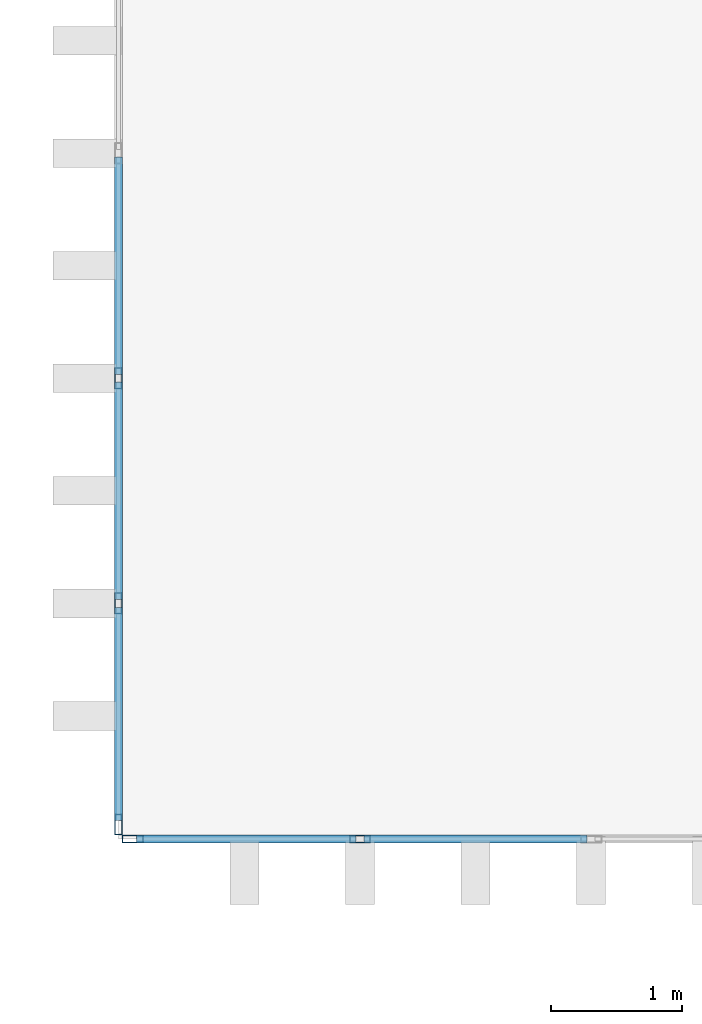
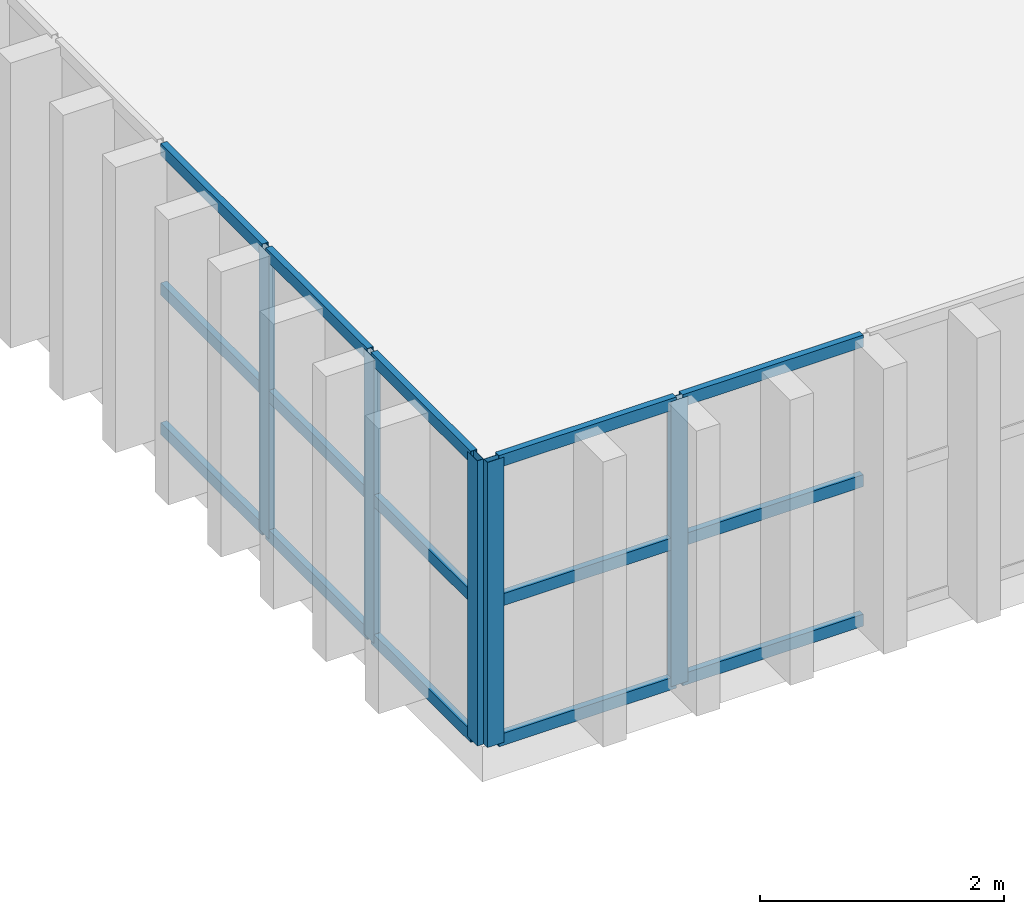
# One storey, part 24 of 102: 20 members, 2 elements without a shape of their own.
"""IFC4 building model written with IfcOpenShell, lengths in metres."""

from ifc_helpers import new_model, si_unit, direction, frame, origin, origin_2d, place, context, subcontext, project, spatial, hollow_rectangle, extrude, material, layer, layer_set, material_profile, profile_set, type_object, element, aggregate, save


model = new_model("IFC4")

# Units and contexts
model_context = context("Model", 3, precision=1e-05, world=origin(), true_north=direction((0.0, 1.0)))
body_context = subcontext(model_context, "Body", "Model", "MODEL_VIEW")
ifc_project = project(units=[si_unit("LENGTHUNIT", "METRE"), si_unit("AREAUNIT", "SQUARE_METRE"), si_unit("VOLUMEUNIT", "CUBIC_METRE"), si_unit("PLANEANGLEUNIT", "RADIAN"), si_unit("MASSUNIT", "GRAM", prefix="KILO")], contexts=[model_context])

# Site, building, storey
site_placement = place(None, origin())
site = spatial("IfcSite", under=ifc_project, at=site_placement, CompositionType="ELEMENT")
building_placement = place(site_placement, origin())
building = spatial("IfcBuilding", under=site, at=building_placement, Name="Barlavento Convention Centre", CompositionType="ELEMENT")
storey_placement = place(building_placement, frame((0.0, 0.0, 22.800048828125)))
storey = spatial("IfcBuildingStorey", under=building, at=storey_placement, Name="L04", CompositionType="ELEMENT", Elevation=22.800048828125)

# Curtain wall, members
ifc_material_1 = material(Name="Powder-coated aluminium and Low-E glass", Category="aluminium")
ifc_layer = layer(ifc_material_1, 0.18505859375)
ifc_layer_set = layer_set([ifc_layer], Name="ARC-CW-CONF-L04")
curtain_wall_type = type_object("IfcCurtainWallType", Name="ARC-CW-CONF-L04", PredefinedType="NOTDEFINED", material=ifc_layer_set)
curtain_wall_1_placement = place(storey_placement, origin())
curtain_wall_1 = element("IfcCurtainWall", 1, at=curtain_wall_1_placement, inside=storey, type_object=curtain_wall_type, Name="L04 unitised curtain wall CW09", PredefinedType="NOTDEFINED")
ifc_material_2 = material(Name="Powder-coated aluminium", Category="aluminium")
ifc_material_profile_1 = material_profile(ifc_material_2, hollow_rectangle(XDim=0.06005859375, YDim=0.159912109375, WallThickness=0.00390625, at=origin_2d()), Name="AL-MULL 60x160x4")
ifc_profile_set_1 = profile_set([ifc_material_profile_1], Name="Powder-coated aluminium")
member_type_1 = type_object("IfcMemberType", Name="ARC-CWM-60X160", PredefinedType="MULLION", material=ifc_profile_set_1)
member_1_placement = place(storey_placement, frame((153.110107421875, 27.0, 0.0), z_axis=(0.0, 0.0, 1.0), x_axis=(0.0, 1.0, 0.0)))
member_1 = element("IfcMember", 2, at=member_1_placement, type_object=member_type_1, Name="CW09 mullion 1", PredefinedType="MULLION", context=body_context, shape_type="SweptSolid", body=[
    extrude(hollow_rectangle(XDim=0.06005859375, YDim=0.159912109375, WallThickness=0.00390625, at=origin_2d()), origin(), (0.0, 0.0, 1.0), 2.849853515625),
])
member_2_placement = place(storey_placement, frame((154.847900390625, 27.0, 0.0), z_axis=(0.0, 0.0, 1.0), x_axis=(0.0, 1.0, 0.0)))
member_2 = element("IfcMember", 3, at=member_2_placement, type_object=member_type_1, Name="CW09 mullion 2", PredefinedType="MULLION", context=body_context, shape_type="SweptSolid", body=[
    extrude(hollow_rectangle(XDim=0.06005859375, YDim=0.159912109375, WallThickness=0.00390625, at=origin_2d()), origin(), (0.0, 0.0, 1.0), 2.849853515625),
])

curtain_wall_2_placement = place(storey_placement, origin())
curtain_wall_2 = element("IfcCurtainWall", 4, at=curtain_wall_2_placement, inside=storey, type_object=curtain_wall_type, Name="L04 unitised curtain wall CW09", PredefinedType="NOTDEFINED")
member_3_placement = place(storey_placement, frame((153.0, 27.110107421875, 0.0), z_axis=(0.0, 0.0, 1.0), x_axis=(-1.0, 0.0, 0.0)))
member_3 = element("IfcMember", 5, at=member_3_placement, type_object=member_type_1, Name="CW09 mullion 1", PredefinedType="MULLION", context=body_context, shape_type="SweptSolid", body=[
    extrude(hollow_rectangle(XDim=0.06005859375, YDim=0.159912109375, WallThickness=0.00390625, at=origin_2d()), origin(), (0.0, 0.0, 1.0), 2.849853515625),
])
member_4_placement = place(storey_placement, frame((153.0, 28.802001953125, 0.0), z_axis=(0.0, 0.0, 1.0), x_axis=(-1.0, 0.0, 0.0)))
member_4 = element("IfcMember", 6, at=member_4_placement, type_object=member_type_1, Name="CW09 mullion 2", PredefinedType="MULLION", context=body_context, shape_type="SweptSolid", body=[
    extrude(hollow_rectangle(XDim=0.06005859375, YDim=0.159912109375, WallThickness=0.00390625, at=origin_2d()), origin(), (0.0, 0.0, 1.0), 2.849853515625),
])
member_5_placement = place(storey_placement, frame((153.0, 30.52392578125, 0.0), z_axis=(0.0, 0.0, 1.0), x_axis=(-1.0, 0.0, 0.0)))
member_5 = element("IfcMember", 7, at=member_5_placement, type_object=member_type_1, Name="CW09 mullion 3", PredefinedType="MULLION", context=body_context, shape_type="SweptSolid", body=[
    extrude(hollow_rectangle(XDim=0.06005859375, YDim=0.159912109375, WallThickness=0.00390625, at=origin_2d()), origin(), (0.0, 0.0, 1.0), 2.849853515625),
])

# Member
ifc_material_profile_2 = material_profile(ifc_material_2, hollow_rectangle(XDim=0.06005859375, YDim=0.1201171875, WallThickness=0.00390625, at=origin_2d()), Name="AL-TRAN 60x120x4")
ifc_profile_set_2 = profile_set([ifc_material_profile_2], Name="Powder-coated aluminium")
member_type_2 = type_object("IfcMemberType", Name="ARC-CWT-60X120", PredefinedType="USERDEFINED", material=ifc_profile_set_2)
member_6_placement = place(storey_placement, frame((153.139892578125, 27.0, 0.030029296875), z_axis=(1.0, 0.0, 0.0), x_axis=(0.0, 1.0, 0.0)))
member_6 = element("IfcMember", 8, at=member_6_placement, type_object=member_type_2, Name="CW09 transom 1.1", ObjectType="TRANSOM", PredefinedType="USERDEFINED", context=body_context, shape_type="SweptSolid", body=[
    extrude(hollow_rectangle(XDim=0.06005859375, YDim=0.1201171875, WallThickness=0.00390625, at=origin_2d()), origin(), (0.0, 0.0, 1.0), 1.67822265625),
])

member_7_placement = place(storey_placement, frame((153.139892578125, 27.0, 1.425048828125), z_axis=(1.0, 0.0, 0.0), x_axis=(0.0, 1.0, 0.0)))
member_7 = element("IfcMember", 9, at=member_7_placement, type_object=member_type_2, Name="CW09 transom 1.2", ObjectType="TRANSOM", PredefinedType="USERDEFINED", context=body_context, shape_type="SweptSolid", body=[
    extrude(hollow_rectangle(XDim=0.06005859375, YDim=0.1201171875, WallThickness=0.00390625, at=origin_2d()), origin(), (0.0, 0.0, 1.0), 1.67822265625),
])

member_8_placement = place(storey_placement, frame((153.139892578125, 27.0, 2.820068359375), z_axis=(1.0, 0.0, 0.0), x_axis=(0.0, 1.0, 0.0)))
member_8 = element("IfcMember", 10, at=member_8_placement, type_object=member_type_2, Name="CW09 transom 1.3", ObjectType="TRANSOM", PredefinedType="USERDEFINED", context=body_context, shape_type="SweptSolid", body=[
    extrude(hollow_rectangle(XDim=0.06005859375, YDim=0.1201171875, WallThickness=0.00390625, at=origin_2d()), origin(), (0.0, 0.0, 1.0), 1.67822265625),
])

member_9_placement = place(storey_placement, frame((154.8779296875, 27.0, 0.030029296875), z_axis=(1.0, 0.0, 0.0), x_axis=(0.0, 1.0, 0.0)))
member_9 = element("IfcMember", 11, at=member_9_placement, type_object=member_type_2, Name="CW09 transom 2.1", ObjectType="TRANSOM", PredefinedType="USERDEFINED", context=body_context, shape_type="SweptSolid", body=[
    extrude(hollow_rectangle(XDim=0.06005859375, YDim=0.1201171875, WallThickness=0.00390625, at=origin_2d()), origin(), (0.0, 0.0, 1.0), 1.7080078125),
])

member_10_placement = place(storey_placement, frame((154.8779296875, 27.0, 1.425048828125), z_axis=(1.0, 0.0, 0.0), x_axis=(0.0, 1.0, 0.0)))
member_10 = element("IfcMember", 12, at=member_10_placement, type_object=member_type_2, Name="CW09 transom 2.2", ObjectType="TRANSOM", PredefinedType="USERDEFINED", context=body_context, shape_type="SweptSolid", body=[
    extrude(hollow_rectangle(XDim=0.06005859375, YDim=0.1201171875, WallThickness=0.00390625, at=origin_2d()), origin(), (0.0, 0.0, 1.0), 1.7080078125),
])

member_11_placement = place(storey_placement, frame((154.8779296875, 27.0, 2.820068359375), z_axis=(1.0, 0.0, 0.0), x_axis=(0.0, 1.0, 0.0)))
member_11 = element("IfcMember", 13, at=member_11_placement, type_object=member_type_2, Name="CW09 transom 2.3", ObjectType="TRANSOM", PredefinedType="USERDEFINED", context=body_context, shape_type="SweptSolid", body=[
    extrude(hollow_rectangle(XDim=0.06005859375, YDim=0.1201171875, WallThickness=0.00390625, at=origin_2d()), origin(), (0.0, 0.0, 1.0), 1.7080078125),
])

aggregate(curtain_wall_1, [member_1, member_2, member_6, member_7, member_8, member_9, member_10, member_11])

member_12_placement = place(storey_placement, frame((153.0, 27.139892578125, 0.030029296875), z_axis=(0.0, 1.0, 0.0), x_axis=(-1.0, 0.0, 0.0)))
member_12 = element("IfcMember", 14, at=member_12_placement, type_object=member_type_2, Name="CW09 transom 1.1", ObjectType="TRANSOM", PredefinedType="USERDEFINED", context=body_context, shape_type="SweptSolid", body=[
    extrude(hollow_rectangle(XDim=0.06005859375, YDim=0.1201171875, WallThickness=0.00390625, at=origin_2d()), origin(), (0.0, 0.0, 1.0), 1.632080078125),
])

member_13_placement = place(storey_placement, frame((153.0, 27.139892578125, 1.425048828125), z_axis=(0.0, 1.0, 0.0), x_axis=(-1.0, 0.0, 0.0)))
member_13 = element("IfcMember", 15, at=member_13_placement, type_object=member_type_2, Name="CW09 transom 1.2", ObjectType="TRANSOM", PredefinedType="USERDEFINED", context=body_context, shape_type="SweptSolid", body=[
    extrude(hollow_rectangle(XDim=0.06005859375, YDim=0.1201171875, WallThickness=0.00390625, at=origin_2d()), origin(), (0.0, 0.0, 1.0), 1.632080078125),
])

member_14_placement = place(storey_placement, frame((153.0, 27.139892578125, 2.820068359375), z_axis=(0.0, 1.0, 0.0), x_axis=(-1.0, 0.0, 0.0)))
member_14 = element("IfcMember", 16, at=member_14_placement, type_object=member_type_2, Name="CW09 transom 1.3", ObjectType="TRANSOM", PredefinedType="USERDEFINED", context=body_context, shape_type="SweptSolid", body=[
    extrude(hollow_rectangle(XDim=0.06005859375, YDim=0.1201171875, WallThickness=0.00390625, at=origin_2d()), origin(), (0.0, 0.0, 1.0), 1.632080078125),
])

member_15_placement = place(storey_placement, frame((153.0, 28.83203125, 0.030029296875), z_axis=(0.0, 1.0, 0.0), x_axis=(-1.0, 0.0, 0.0)))
member_15 = element("IfcMember", 17, at=member_15_placement, type_object=member_type_2, Name="CW09 transom 2.1", ObjectType="TRANSOM", PredefinedType="USERDEFINED", context=body_context, shape_type="SweptSolid", body=[
    extrude(hollow_rectangle(XDim=0.06005859375, YDim=0.1201171875, WallThickness=0.00390625, at=origin_2d()), origin(), (0.0, 0.0, 1.0), 1.661865234375),
])

member_16_placement = place(storey_placement, frame((153.0, 28.83203125, 1.425048828125), z_axis=(0.0, 1.0, 0.0), x_axis=(-1.0, 0.0, 0.0)))
member_16 = element("IfcMember", 18, at=member_16_placement, type_object=member_type_2, Name="CW09 transom 2.2", ObjectType="TRANSOM", PredefinedType="USERDEFINED", context=body_context, shape_type="SweptSolid", body=[
    extrude(hollow_rectangle(XDim=0.06005859375, YDim=0.1201171875, WallThickness=0.00390625, at=origin_2d()), origin(), (0.0, 0.0, 1.0), 1.661865234375),
])

member_17_placement = place(storey_placement, frame((153.0, 28.83203125, 2.820068359375), z_axis=(0.0, 1.0, 0.0), x_axis=(-1.0, 0.0, 0.0)))
member_17 = element("IfcMember", 19, at=member_17_placement, type_object=member_type_2, Name="CW09 transom 2.3", ObjectType="TRANSOM", PredefinedType="USERDEFINED", context=body_context, shape_type="SweptSolid", body=[
    extrude(hollow_rectangle(XDim=0.06005859375, YDim=0.1201171875, WallThickness=0.00390625, at=origin_2d()), origin(), (0.0, 0.0, 1.0), 1.661865234375),
])

member_18_placement = place(storey_placement, frame((153.0, 30.553955078125, 0.030029296875), z_axis=(0.0, 1.0, 0.0), x_axis=(-1.0, 0.0, 0.0)))
member_18 = element("IfcMember", 20, at=member_18_placement, type_object=member_type_2, Name="CW09 transom 3.1", ObjectType="TRANSOM", PredefinedType="USERDEFINED", context=body_context, shape_type="SweptSolid", body=[
    extrude(hollow_rectangle(XDim=0.06005859375, YDim=0.1201171875, WallThickness=0.00390625, at=origin_2d()), origin(), (0.0, 0.0, 1.0), 1.662109375),
])

member_19_placement = place(storey_placement, frame((153.0, 30.553955078125, 1.425048828125), z_axis=(0.0, 1.0, 0.0), x_axis=(-1.0, 0.0, 0.0)))
member_19 = element("IfcMember", 21, at=member_19_placement, type_object=member_type_2, Name="CW09 transom 3.2", ObjectType="TRANSOM", PredefinedType="USERDEFINED", context=body_context, shape_type="SweptSolid", body=[
    extrude(hollow_rectangle(XDim=0.06005859375, YDim=0.1201171875, WallThickness=0.00390625, at=origin_2d()), origin(), (0.0, 0.0, 1.0), 1.662109375),
])

member_20_placement = place(storey_placement, frame((153.0, 30.553955078125, 2.820068359375), z_axis=(0.0, 1.0, 0.0), x_axis=(-1.0, 0.0, 0.0)))
member_20 = element("IfcMember", 22, at=member_20_placement, type_object=member_type_2, Name="CW09 transom 3.3", ObjectType="TRANSOM", PredefinedType="USERDEFINED", context=body_context, shape_type="SweptSolid", body=[
    extrude(hollow_rectangle(XDim=0.06005859375, YDim=0.1201171875, WallThickness=0.00390625, at=origin_2d()), origin(), (0.0, 0.0, 1.0), 1.662109375),
])

aggregate(curtain_wall_2, [member_3, member_4, member_5, member_12, member_13, member_14, member_15, member_16, member_17, member_18, member_19, member_20])

save(model, "model.ifc")
